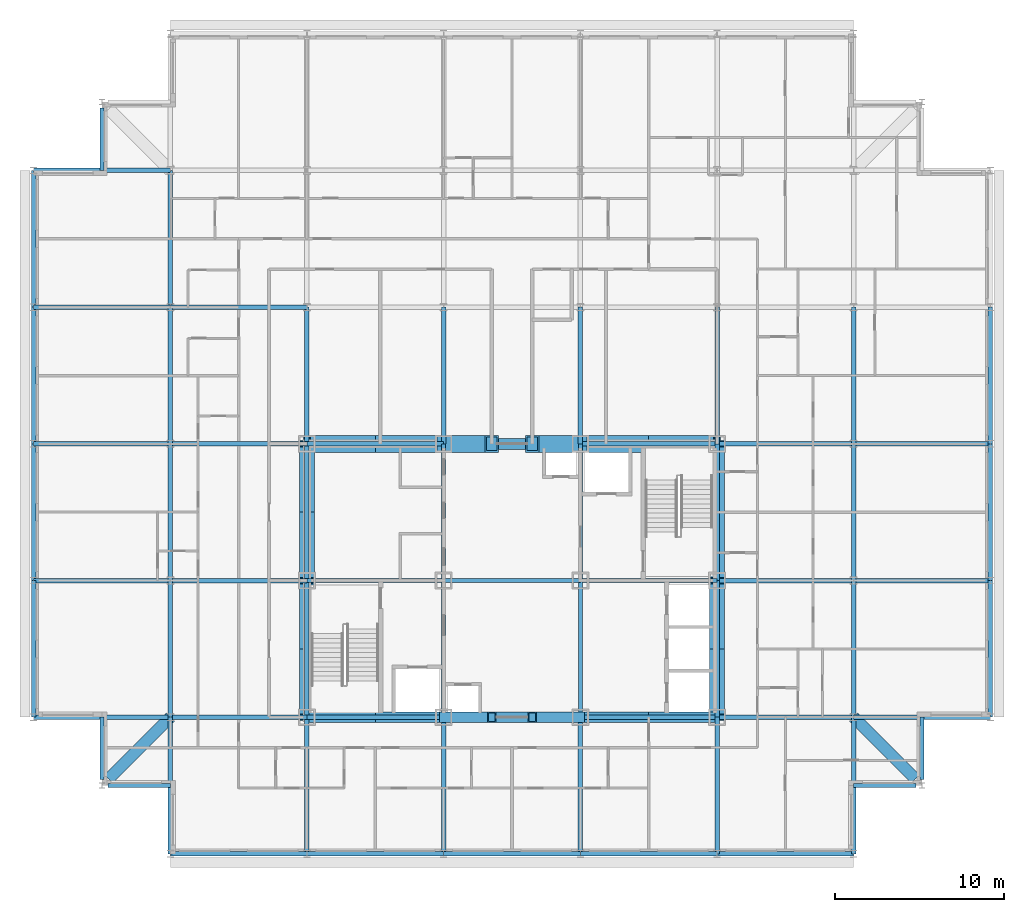
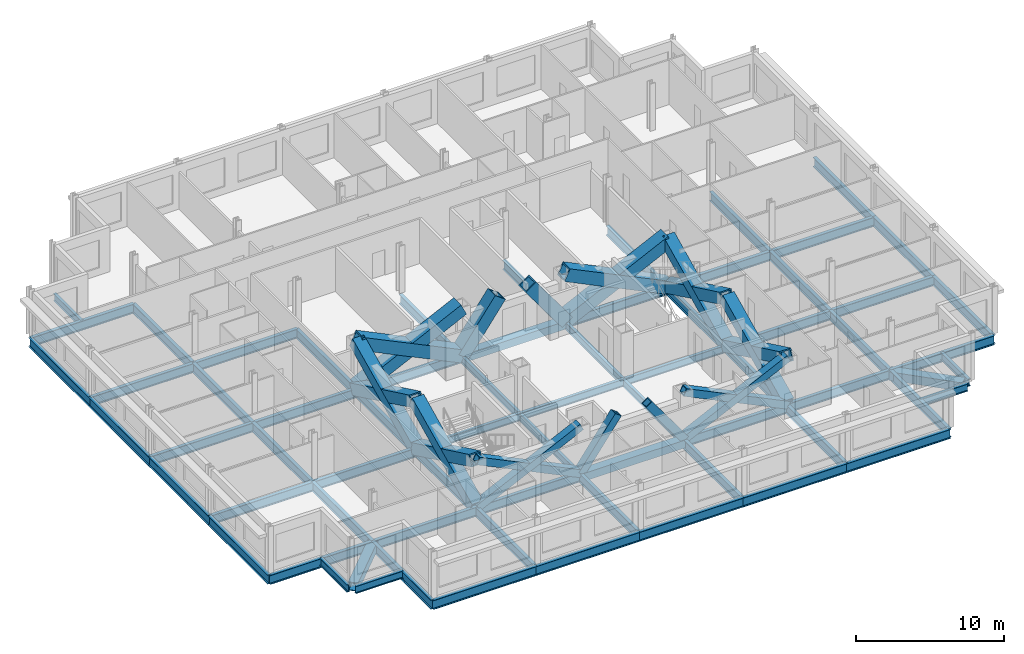
# One storey, part 5 of 15: 68 beams, 20 members.
"""IFC4 building model written with IfcOpenShell, lengths in metres."""

from ifc_helpers import new_model, si_unit, direction, frame, origin, origin_2d, place, context, subcontext, project, spatial, hollow_rectangle, i_section, extrude, material, material_profile, profile_set, type_object, element, save


model = new_model("IFC4")

# Units and contexts
model_context = context("Model", 3, precision=1e-05, world=origin(), true_north=direction((0.0, 1.0)))
body_context = subcontext(model_context, "Body", "Model", "MODEL_VIEW")
ifc_project = project(units=[si_unit("LENGTHUNIT", "METRE"), si_unit("AREAUNIT", "SQUARE_METRE"), si_unit("VOLUMEUNIT", "CUBIC_METRE"), si_unit("PLANEANGLEUNIT", "RADIAN"), si_unit("MASSUNIT", "GRAM", prefix="KILO")], contexts=[model_context])

# Site, building, storey
site_placement = place(None, origin())
site = spatial("IfcSite", under=ifc_project, at=site_placement, CompositionType="ELEMENT")
building_placement = place(site_placement, origin())
building = spatial("IfcBuilding", under=site, at=building_placement, Name="Kopane Lantern Tower", CompositionType="ELEMENT")
storey_placement = place(building_placement, frame((0.0, 0.0, 246.300048828125)))
storey = spatial("IfcBuildingStorey", under=building, at=storey_placement, Name="L63", CompositionType="ELEMENT", Elevation=246.300048828125)

# Members
ifc_material_1 = material(Name="Steel S355JR", Category="steel")
ifc_material_profile_1 = material_profile(ifc_material_1, hollow_rectangle(XDim=1.0, YDim=1.0, WallThickness=0.10009765625, at=origin_2d()), Name="BOX 1000x1000x100")
ifc_profile_set_1 = profile_set([ifc_material_profile_1], Name="Steel S355JR")
member_type_1 = type_object("IfcMemberType", Name="BRACE BOX 1000x1000x100", PredefinedType="BRACE", material=ifc_profile_set_1)
for number, where, z_axis, x_axis, name in (
    (1, (16.199951171875, 40.5, -0.2099609375), (0.901007959878, 0.0, 0.433802554437), (0.0, 1.0, 0.0), "Core brace L63"),
    (2, (24.300048828125, 40.5, -0.2099609375), (-0.901007959878, 0.0, 0.433802554437), (0.0, -1.0, 0.0), "Core brace L63"),
):
    element("IfcMember", number, at=place(storey_placement, frame(where, z_axis=z_axis, x_axis=x_axis)), inside=storey, type_object=member_type_1, Name=name, PredefinedType="BRACE", context=body_context, shape_type="SweptSolid", body=[
        extrude(hollow_rectangle(XDim=1.0, YDim=1.0, WallThickness=0.10009765625, at=origin_2d()), origin(), (0.0, 0.0, 1.0), 8.989990234375),
    ])
for number, where, z_axis, x_axis, name in (
    (3, (24.300048828125, 40.5, -0.2099609375), (0.590006451143, 0.0, 0.807398530845), (0.0, 1.0, 0.0), "Core brace L63"),
    (4, (32.39990234375, 40.5, -0.2099609375), (-0.590006451143, 0.0, 0.807398530845), (0.0, -1.0, 0.0), "Core brace L63"),
):
    element("IfcMember", number, at=place(storey_placement, frame(where, z_axis=z_axis, x_axis=x_axis)), inside=storey, type_object=member_type_1, Name=name, PredefinedType="BRACE", context=body_context, shape_type="SweptSolid", body=[
        extrude(hollow_rectangle(XDim=1.0, YDim=1.0, WallThickness=0.10009765625, at=origin_2d()), origin(), (0.0, 0.0, 1.0), 4.830322265625),
    ])
for number, where, z_axis, x_axis, name in (
    (5, (32.39990234375, 40.5, -0.2099609375), (0.901007959878, 0.0, 0.433802554437), (0.0, 1.0, 0.0), "Core brace L63"),
    (6, (40.5, 40.5, -0.2099609375), (-0.901007959878, 0.0, 0.433802554437), (0.0, -1.0, 0.0), "Core brace L63"),
):
    element("IfcMember", number, at=place(storey_placement, frame(where, z_axis=z_axis, x_axis=x_axis)), inside=storey, type_object=member_type_1, Name=name, PredefinedType="BRACE", context=body_context, shape_type="SweptSolid", body=[
        extrude(hollow_rectangle(XDim=1.0, YDim=1.0, WallThickness=0.10009765625, at=origin_2d()), origin(), (0.0, 0.0, 1.0), 8.989990234375),
    ])
ifc_material_2 = material(Name="Steel S355JR", Category="steel")
ifc_material_profile_2 = material_profile(ifc_material_2, hollow_rectangle(XDim=0.60009765625, YDim=0.60009765625, WallThickness=0.06005859375, at=origin_2d()), Name="BOX 600x600x60")
ifc_profile_set_2 = profile_set([ifc_material_profile_2], Name="Steel S355JR")
member_type_2 = type_object("IfcMemberType", Name="BRACE BOX 600x600x60", PredefinedType="BRACE", material=ifc_profile_set_2)
for number, where, z_axis, x_axis, name in (
    (7, (16.199951171875, 24.300048828125, -0.2099609375), (0.901007959878, 0.0, 0.433802554437), (0.0, 1.0, 0.0), "Core brace L63"),
    (8, (24.300048828125, 24.300048828125, -0.2099609375), (-0.901007959878, 0.0, 0.433802554437), (0.0, -1.0, 0.0), "Core brace L63"),
):
    element("IfcMember", number, at=place(storey_placement, frame(where, z_axis=z_axis, x_axis=x_axis)), inside=storey, type_object=member_type_2, Name=name, PredefinedType="BRACE", context=body_context, shape_type="SweptSolid", body=[
        extrude(hollow_rectangle(XDim=0.60009765625, YDim=0.60009765625, WallThickness=0.06005859375, at=origin_2d()), origin(), (0.0, 0.0, 1.0), 8.989990234375),
    ])
for number, where, z_axis, x_axis, name in (
    (9, (24.300048828125, 24.300048828125, -0.2099609375), (0.590006451143, 0.0, 0.807398530845), (0.0, 1.0, 0.0), "Core brace L63"),
    (10, (32.39990234375, 24.300048828125, -0.2099609375), (-0.590006451143, 0.0, 0.807398530845), (0.0, -1.0, 0.0), "Core brace L63"),
):
    element("IfcMember", number, at=place(storey_placement, frame(where, z_axis=z_axis, x_axis=x_axis)), inside=storey, type_object=member_type_2, Name=name, PredefinedType="BRACE", context=body_context, shape_type="SweptSolid", body=[
        extrude(hollow_rectangle(XDim=0.60009765625, YDim=0.60009765625, WallThickness=0.06005859375, at=origin_2d()), origin(), (0.0, 0.0, 1.0), 4.830322265625),
    ])
for number, where, z_axis, x_axis, name in (
    (11, (32.39990234375, 24.300048828125, -0.2099609375), (0.901007959878, 0.0, 0.433802554437), (0.0, 1.0, 0.0), "Core brace L63"),
    (12, (40.5, 24.300048828125, -0.2099609375), (-0.901007959878, 0.0, 0.433802554437), (0.0, -1.0, 0.0), "Core brace L63"),
):
    element("IfcMember", number, at=place(storey_placement, frame(where, z_axis=z_axis, x_axis=x_axis)), inside=storey, type_object=member_type_2, Name=name, PredefinedType="BRACE", context=body_context, shape_type="SweptSolid", body=[
        extrude(hollow_rectangle(XDim=0.60009765625, YDim=0.60009765625, WallThickness=0.06005859375, at=origin_2d()), origin(), (0.0, 0.0, 1.0), 8.989990234375),
    ])
ifc_material_3 = material(Name="Steel S355JR", Category="steel")
ifc_material_profile_3 = material_profile(ifc_material_3, hollow_rectangle(XDim=0.89990234375, YDim=0.89990234375, WallThickness=0.090087890625, at=origin_2d()), Name="BOX 900x900x90")
ifc_profile_set_3 = profile_set([ifc_material_profile_3], Name="Steel S355JR")
member_type_3 = type_object("IfcMemberType", Name="BRACE BOX 900x900x90", PredefinedType="BRACE", material=ifc_profile_set_3)
for number, where, z_axis, x_axis, name in (
    (13, (16.199951171875, 24.300048828125, -0.2099609375), (0.0, 0.9010028492, 0.433813169157), (-1.0, 0.0, 0.0), "Core brace L63"),
    (14, (16.199951171875, 32.39990234375, -0.2099609375), (0.0, -0.9010028492, 0.433813169157), (1.0, 0.0, 0.0), "Core brace L63"),
):
    element("IfcMember", number, at=place(storey_placement, frame(where, z_axis=z_axis, x_axis=x_axis)), inside=storey, type_object=member_type_3, Name=name, PredefinedType="BRACE", context=body_context, shape_type="SweptSolid", body=[
        extrude(hollow_rectangle(XDim=0.89990234375, YDim=0.89990234375, WallThickness=0.090087890625, at=origin_2d()), origin(), (0.0, 0.0, 1.0), 8.98974609375),
    ])
for number, where, z_axis, x_axis, name in (
    (15, (16.199951171875, 32.39990234375, -0.2099609375), (0.0, 0.901007959878, 0.433802554437), (-1.0, 0.0, 0.0), "Core brace L63"),
    (16, (16.199951171875, 40.5, -0.2099609375), (0.0, -0.901007959878, 0.433802554437), (1.0, 0.0, 0.0), "Core brace L63"),
):
    element("IfcMember", number, at=place(storey_placement, frame(where, z_axis=z_axis, x_axis=x_axis)), inside=storey, type_object=member_type_3, Name=name, PredefinedType="BRACE", context=body_context, shape_type="SweptSolid", body=[
        extrude(hollow_rectangle(XDim=0.89990234375, YDim=0.89990234375, WallThickness=0.090087890625, at=origin_2d()), origin(), (0.0, 0.0, 1.0), 8.989990234375),
    ])
for number, where, z_axis, x_axis, name in (
    (17, (40.5, 24.300048828125, -0.2099609375), (0.0, 0.9010028492, 0.433813169157), (-1.0, 0.0, 0.0), "Core brace L63"),
    (18, (40.5, 32.39990234375, -0.2099609375), (0.0, -0.9010028492, 0.433813169157), (1.0, 0.0, 0.0), "Core brace L63"),
):
    element("IfcMember", number, at=place(storey_placement, frame(where, z_axis=z_axis, x_axis=x_axis)), inside=storey, type_object=member_type_3, Name=name, PredefinedType="BRACE", context=body_context, shape_type="SweptSolid", body=[
        extrude(hollow_rectangle(XDim=0.89990234375, YDim=0.89990234375, WallThickness=0.090087890625, at=origin_2d()), origin(), (0.0, 0.0, 1.0), 8.98974609375),
    ])
for number, where, z_axis, x_axis, name in (
    (19, (40.5, 32.39990234375, -0.2099609375), (0.0, 0.901007959878, 0.433802554437), (-1.0, 0.0, 0.0), "Core brace L63"),
    (20, (40.5, 40.5, -0.2099609375), (0.0, -0.901007959878, 0.433802554437), (1.0, 0.0, 0.0), "Core brace L63"),
):
    element("IfcMember", number, at=place(storey_placement, frame(where, z_axis=z_axis, x_axis=x_axis)), inside=storey, type_object=member_type_3, Name=name, PredefinedType="BRACE", context=body_context, shape_type="SweptSolid", body=[
        extrude(hollow_rectangle(XDim=0.89990234375, YDim=0.89990234375, WallThickness=0.090087890625, at=origin_2d()), origin(), (0.0, 0.0, 1.0), 8.989990234375),
    ])

# Beams
ifc_material_4 = material(Name="Steel S355JR", Category="steel")
ifc_material_profile_4 = material_profile(ifc_material_4, i_section(OverallWidth=0.22900390625, OverallDepth=0.6123046875, WebThickness=0.011962890625, FlangeThickness=0.01953125, FilletRadius=0.0126953125, at=origin_2d()), Name="UB 610x229x125")
ifc_profile_set_4 = profile_set([ifc_material_profile_4], Name="Steel S355JR")
beam_type_1 = type_object("IfcBeamType", Name="CORE BEAM UB 610x229x125", PredefinedType="BEAM", material=ifc_profile_set_4)
beam_1_placement = place(storey_placement, frame((16.199951171875, 32.39990234375, -0.51611328125), z_axis=(1.0, 0.0, 0.0), x_axis=(0.0, 1.0, 0.0)))
element("IfcBeam", 21, at=beam_1_placement, inside=storey, type_object=beam_type_1, Name="Core Beam L63", PredefinedType="BEAM", context=body_context, shape_type="SweptSolid", body=[
    extrude(i_section(OverallWidth=0.22900390625, OverallDepth=0.6123046875, WebThickness=0.011962890625, FlangeThickness=0.01953125, FilletRadius=0.0126953125, at=origin_2d()), origin(), (0.0, 0.0, 1.0), 8.10009765625),
])
beam_2_placement = place(storey_placement, frame((24.300048828125, 24.300048828125, -0.51611328125), z_axis=(0.0, 1.0, 0.0), x_axis=(-1.0, 0.0, 0.0)))
element("IfcBeam", 22, at=beam_2_placement, inside=storey, type_object=beam_type_1, Name="Core Beam L63", PredefinedType="BEAM", context=body_context, shape_type="SweptSolid", body=[
    extrude(i_section(OverallWidth=0.22900390625, OverallDepth=0.6123046875, WebThickness=0.011962890625, FlangeThickness=0.01953125, FilletRadius=0.0126953125, at=origin_2d()), origin(), (0.0, 0.0, 1.0), 8.099853515625),
])
beam_3_placement = place(storey_placement, frame((24.300048828125, 32.39990234375, -0.51611328125), z_axis=(0.0, 1.0, 0.0), x_axis=(-1.0, 0.0, 0.0)))
element("IfcBeam", 23, at=beam_3_placement, inside=storey, type_object=beam_type_1, Name="Core Beam L63", PredefinedType="BEAM", context=body_context, shape_type="SweptSolid", body=[
    extrude(i_section(OverallWidth=0.22900390625, OverallDepth=0.6123046875, WebThickness=0.011962890625, FlangeThickness=0.01953125, FilletRadius=0.0126953125, at=origin_2d()), origin(), (0.0, 0.0, 1.0), 8.10009765625),
])
for number, where, z_axis, x_axis, name in (
    (24, (24.300048828125, 32.39990234375, -0.51611328125), (1.0, 0.0, 0.0), (0.0, 1.0, 0.0), "Core Beam L63"),
    (25, (32.39990234375, 24.300048828125, -0.51611328125), (0.0, 1.0, 0.0), (-1.0, 0.0, 0.0), "Core Beam L63"),
):
    element("IfcBeam", number, at=place(storey_placement, frame(where, z_axis=z_axis, x_axis=x_axis)), inside=storey, type_object=beam_type_1, Name=name, PredefinedType="BEAM", context=body_context, shape_type="SweptSolid", body=[
        extrude(i_section(OverallWidth=0.22900390625, OverallDepth=0.6123046875, WebThickness=0.011962890625, FlangeThickness=0.01953125, FilletRadius=0.0126953125, at=origin_2d()), origin(), (0.0, 0.0, 1.0), 8.099853515625),
    ])
for number, where, z_axis, x_axis, name in (
    (26, (32.39990234375, 32.39990234375, -0.51611328125), (0.0, 1.0, 0.0), (-1.0, 0.0, 0.0), "Core Beam L63"),
    (27, (32.39990234375, 32.39990234375, -0.51611328125), (1.0, 0.0, 0.0), (0.0, 1.0, 0.0), "Core Beam L63"),
):
    element("IfcBeam", number, at=place(storey_placement, frame(where, z_axis=z_axis, x_axis=x_axis)), inside=storey, type_object=beam_type_1, Name=name, PredefinedType="BEAM", context=body_context, shape_type="SweptSolid", body=[
        extrude(i_section(OverallWidth=0.22900390625, OverallDepth=0.6123046875, WebThickness=0.011962890625, FlangeThickness=0.01953125, FilletRadius=0.0126953125, at=origin_2d()), origin(), (0.0, 0.0, 1.0), 8.10009765625),
    ])
ifc_material_5 = material(Name="Steel S355JR", Category="steel")
ifc_material_profile_5 = material_profile(ifc_material_5, hollow_rectangle(XDim=0.699951171875, YDim=0.699951171875, WallThickness=0.06005859375, at=origin_2d()), Name="BOX 700x700x60")
ifc_profile_set_5 = profile_set([ifc_material_profile_5], Name="Steel S355JR")
beam_type_2 = type_object("IfcBeamType", Name="CORNER TIE BEAM BOX 700x700x60", PredefinedType="BEAM", material=ifc_profile_set_5)
beam_4_placement = place(storey_placement, frame((4.447509765625, 20.6474609375, -0.56005859375), z_axis=(0.707106781187, 0.707106781187, 0.0), x_axis=(-0.707106781187, 0.707106781187, 0.0)))
element("IfcBeam", 28, at=beam_4_placement, inside=storey, type_object=beam_type_2, Name="Corner Tie Beam L63", PredefinedType="BEAM", context=body_context, shape_type="SweptSolid", body=[
    extrude(hollow_rectangle(XDim=0.699951171875, YDim=0.699951171875, WallThickness=0.06005859375, at=origin_2d()), origin(), (0.0, 0.0, 1.0), 5.16552734375),
])
beam_5_placement = place(storey_placement, frame((52.25244140625, 20.6474609375, -0.56005859375), z_axis=(-0.707083148333, 0.70713041325, 0.0), x_axis=(-0.70713041325, -0.707083148333, 0.0)))
element("IfcBeam", 29, at=beam_5_placement, inside=storey, type_object=beam_type_2, Name="Corner Tie Beam L63", PredefinedType="BEAM", context=body_context, shape_type="SweptSolid", body=[
    extrude(hollow_rectangle(XDim=0.699951171875, YDim=0.699951171875, WallThickness=0.06005859375, at=origin_2d()), origin(), (0.0, 0.0, 1.0), 5.165283203125),
])
ifc_material_6 = material(Name="Steel S355JR", Category="steel")
ifc_material_profile_6 = material_profile(ifc_material_6, i_section(OverallWidth=0.22900390625, OverallDepth=0.6123046875, WebThickness=0.011962890625, FlangeThickness=0.01953125, FilletRadius=0.0126953125, at=origin_2d()), Name="UB 610x229x125")
ifc_profile_set_6 = profile_set([ifc_material_profile_6], Name="Steel S355JR")
beam_type_3 = type_object("IfcBeamType", Name="EDGE BEAM UB 610x229x125", PredefinedType="BEAM", material=ifc_profile_set_6)
beam_6_placement = place(storey_placement, frame((4.050048828125, 20.60009765625, -0.51611328125), z_axis=(0.0, 1.0, 0.0), x_axis=(-1.0, 0.0, 0.0)))
element("IfcBeam", 30, at=beam_6_placement, inside=storey, type_object=beam_type_3, Name="Edge Beam L63", PredefinedType="BEAM", context=body_context, shape_type="SweptSolid", body=[
    extrude(i_section(OverallWidth=0.22900390625, OverallDepth=0.6123046875, WebThickness=0.011962890625, FlangeThickness=0.01953125, FilletRadius=0.0126953125, at=origin_2d()), origin(), (0.0, 0.0, 1.0), 3.699951171875),
])
beam_7_placement = place(storey_placement, frame((4.39990234375, 20.25, -0.51611328125), z_axis=(1.0, 0.0, 0.0), x_axis=(0.0, 1.0, 0.0)))
element("IfcBeam", 31, at=beam_7_placement, inside=storey, type_object=beam_type_3, Name="Edge Beam L63", PredefinedType="BEAM", context=body_context, shape_type="SweptSolid", body=[
    extrude(i_section(OverallWidth=0.22900390625, OverallDepth=0.6123046875, WebThickness=0.011962890625, FlangeThickness=0.01953125, FilletRadius=0.0126953125, at=origin_2d()), origin(), (0.0, 0.0, 1.0), 3.7001953125),
])
for number, where, z_axis, x_axis, name in (
    (32, (4.050048828125, 60.39990234375, -0.51611328125), (0.0, -1.0, 0.0), (1.0, 0.0, 0.0), "Edge Beam L63"),
    (33, (52.300048828125, 20.25, -0.51611328125), (-1.0, 0.0, 0.0), (0.0, -1.0, 0.0), "Edge Beam L63"),
    (34, (52.64990234375, 20.60009765625, -0.51611328125), (0.0, 1.0, 0.0), (-1.0, 0.0, 0.0), "Edge Beam L63"),
):
    element("IfcBeam", number, at=place(storey_placement, frame(where, z_axis=z_axis, x_axis=x_axis)), inside=storey, type_object=beam_type_3, Name=name, PredefinedType="BEAM", context=body_context, shape_type="SweptSolid", body=[
        extrude(i_section(OverallWidth=0.22900390625, OverallDepth=0.6123046875, WebThickness=0.011962890625, FlangeThickness=0.01953125, FilletRadius=0.0126953125, at=origin_2d()), origin(), (0.0, 0.0, 1.0), 3.699951171875),
    ])
ifc_material_7 = material(Name="Steel S355JR", Category="steel")
ifc_material_profile_7 = material_profile(ifc_material_7, i_section(OverallWidth=0.2666015625, OverallDepth=0.76220703125, WebThickness=0.014404296875, FlangeThickness=0.021484375, FilletRadius=0.0166015625, at=origin_2d()), Name="UB 762x267x173")
ifc_profile_set_7 = profile_set([ifc_material_profile_7], Name="Steel S355JR")
beam_type_4 = type_object("IfcBeamType", Name="GIRDER UB 762x267x173", PredefinedType="BEAM", material=ifc_profile_set_7)
beam_8_placement = place(storey_placement, frame((0.0, 24.300048828125, -0.591064453125), z_axis=(0.0, 1.0, 0.0), x_axis=(-1.0, 0.0, 0.0)))
element("IfcBeam", 35, at=beam_8_placement, inside=storey, type_object=beam_type_4, Name="Girder L63", PredefinedType="BEAM", context=body_context, shape_type="SweptSolid", body=[
    extrude(i_section(OverallWidth=0.2666015625, OverallDepth=0.76220703125, WebThickness=0.014404296875, FlangeThickness=0.021484375, FilletRadius=0.0166015625, at=origin_2d()), origin(), (0.0, 0.0, 1.0), 8.099853515625),
])
for number, where, z_axis, x_axis, name in (
    (36, (0.0, 24.300048828125, -0.591064453125), (1.0, 0.0, 0.0), (0.0, 1.0, 0.0), "Girder L63"),
    (37, (0.0, 32.39990234375, -0.591064453125), (0.0, 1.0, 0.0), (-1.0, 0.0, 0.0), "Girder L63"),
    (38, (0.0, 32.39990234375, -0.591064453125), (1.0, 0.0, 0.0), (0.0, 1.0, 0.0), "Girder L63"),
    (39, (0.0, 40.5, -0.591064453125), (0.0, 1.0, 0.0), (-1.0, 0.0, 0.0), "Girder L63"),
    (40, (0.0, 40.5, -0.591064453125), (1.0, 0.0, 0.0), (0.0, 1.0, 0.0), "Girder L63"),
):
    element("IfcBeam", number, at=place(storey_placement, frame(where, z_axis=z_axis, x_axis=x_axis)), inside=storey, type_object=beam_type_4, Name=name, PredefinedType="BEAM", context=body_context, shape_type="SweptSolid", body=[
        extrude(i_section(OverallWidth=0.2666015625, OverallDepth=0.76220703125, WebThickness=0.014404296875, FlangeThickness=0.021484375, FilletRadius=0.0166015625, at=origin_2d()), origin(), (0.0, 0.0, 1.0), 8.10009765625),
    ])
beam_9_placement = place(storey_placement, frame((0.0, 48.60009765625, -0.591064453125), z_axis=(0.0, 1.0, 0.0), x_axis=(-1.0, 0.0, 0.0)))
element("IfcBeam", 41, at=beam_9_placement, inside=storey, type_object=beam_type_4, Name="Girder L63", PredefinedType="BEAM", context=body_context, shape_type="SweptSolid", body=[
    extrude(i_section(OverallWidth=0.2666015625, OverallDepth=0.76220703125, WebThickness=0.014404296875, FlangeThickness=0.021484375, FilletRadius=0.0166015625, at=origin_2d()), origin(), (0.0, 0.0, 1.0), 8.099853515625),
])
for number, where, z_axis, x_axis, name in (
    (42, (0.0, 48.60009765625, -0.591064453125), (1.0, 0.0, 0.0), (0.0, 1.0, 0.0), "Girder L63"),
    (43, (0.0, 56.699951171875, -0.591064453125), (1.0, 0.0, 0.0), (0.0, 1.0, 0.0), "Girder L63"),
    (44, (8.10009765625, 16.199951171875, -0.591064453125), (0.0, 1.0, 0.0), (-1.0, 0.0, 0.0), "Girder L63"),
):
    element("IfcBeam", number, at=place(storey_placement, frame(where, z_axis=z_axis, x_axis=x_axis)), inside=storey, type_object=beam_type_4, Name=name, PredefinedType="BEAM", context=body_context, shape_type="SweptSolid", body=[
        extrude(i_section(OverallWidth=0.2666015625, OverallDepth=0.76220703125, WebThickness=0.014404296875, FlangeThickness=0.021484375, FilletRadius=0.0166015625, at=origin_2d()), origin(), (0.0, 0.0, 1.0), 8.10009765625),
    ])
for number, where, z_axis, x_axis, name in (
    (45, (8.10009765625, 16.199951171875, -0.591064453125), (1.0, 0.0, 0.0), (0.0, 1.0, 0.0), "Girder L63"),
    (46, (8.10009765625, 24.300048828125, -0.591064453125), (0.0, 1.0, 0.0), (-1.0, 0.0, 0.0), "Girder L63"),
    (47, (8.10009765625, 24.300048828125, -0.591064453125), (1.0, 0.0, 0.0), (0.0, 1.0, 0.0), "Girder L63"),
):
    element("IfcBeam", number, at=place(storey_placement, frame(where, z_axis=z_axis, x_axis=x_axis)), inside=storey, type_object=beam_type_4, Name=name, PredefinedType="BEAM", context=body_context, shape_type="SweptSolid", body=[
        extrude(i_section(OverallWidth=0.2666015625, OverallDepth=0.76220703125, WebThickness=0.014404296875, FlangeThickness=0.021484375, FilletRadius=0.0166015625, at=origin_2d()), origin(), (0.0, 0.0, 1.0), 8.099853515625),
    ])
beam_10_placement = place(storey_placement, frame((8.10009765625, 32.39990234375, -0.591064453125), z_axis=(0.0, 1.0, 0.0), x_axis=(-1.0, 0.0, 0.0)))
element("IfcBeam", 48, at=beam_10_placement, inside=storey, type_object=beam_type_4, Name="Girder L63", PredefinedType="BEAM", context=body_context, shape_type="SweptSolid", body=[
    extrude(i_section(OverallWidth=0.2666015625, OverallDepth=0.76220703125, WebThickness=0.014404296875, FlangeThickness=0.021484375, FilletRadius=0.0166015625, at=origin_2d()), origin(), (0.0, 0.0, 1.0), 8.10009765625),
])
beam_11_placement = place(storey_placement, frame((8.10009765625, 32.39990234375, -0.591064453125), z_axis=(1.0, 0.0, 0.0), x_axis=(0.0, 1.0, 0.0)))
element("IfcBeam", 49, at=beam_11_placement, inside=storey, type_object=beam_type_4, Name="Girder L63", PredefinedType="BEAM", context=body_context, shape_type="SweptSolid", body=[
    extrude(i_section(OverallWidth=0.2666015625, OverallDepth=0.76220703125, WebThickness=0.014404296875, FlangeThickness=0.021484375, FilletRadius=0.0166015625, at=origin_2d()), origin(), (0.0, 0.0, 1.0), 8.099853515625),
])
beam_12_placement = place(storey_placement, frame((8.10009765625, 40.5, -0.591064453125), z_axis=(0.0, 1.0, 0.0), x_axis=(-1.0, 0.0, 0.0)))
element("IfcBeam", 50, at=beam_12_placement, inside=storey, type_object=beam_type_4, Name="Girder L63", PredefinedType="BEAM", context=body_context, shape_type="SweptSolid", body=[
    extrude(i_section(OverallWidth=0.2666015625, OverallDepth=0.76220703125, WebThickness=0.014404296875, FlangeThickness=0.021484375, FilletRadius=0.0166015625, at=origin_2d()), origin(), (0.0, 0.0, 1.0), 8.10009765625),
])
for number, where, z_axis, x_axis, name in (
    (51, (8.10009765625, 40.5, -0.591064453125), (1.0, 0.0, 0.0), (0.0, 1.0, 0.0), "Girder L63"),
    (52, (8.10009765625, 48.60009765625, -0.591064453125), (0.0, 1.0, 0.0), (-1.0, 0.0, 0.0), "Girder L63"),
    (53, (8.10009765625, 48.60009765625, -0.591064453125), (1.0, 0.0, 0.0), (0.0, 1.0, 0.0), "Girder L63"),
):
    element("IfcBeam", number, at=place(storey_placement, frame(where, z_axis=z_axis, x_axis=x_axis)), inside=storey, type_object=beam_type_4, Name=name, PredefinedType="BEAM", context=body_context, shape_type="SweptSolid", body=[
        extrude(i_section(OverallWidth=0.2666015625, OverallDepth=0.76220703125, WebThickness=0.014404296875, FlangeThickness=0.021484375, FilletRadius=0.0166015625, at=origin_2d()), origin(), (0.0, 0.0, 1.0), 8.099853515625),
    ])
for number, where, z_axis, x_axis, name in (
    (54, (16.199951171875, 16.199951171875, -0.591064453125), (0.0, 1.0, 0.0), (-1.0, 0.0, 0.0), "Girder L63"),
    (55, (16.199951171875, 16.199951171875, -0.591064453125), (1.0, 0.0, 0.0), (0.0, 1.0, 0.0), "Girder L63"),
):
    element("IfcBeam", number, at=place(storey_placement, frame(where, z_axis=z_axis, x_axis=x_axis)), inside=storey, type_object=beam_type_4, Name=name, PredefinedType="BEAM", context=body_context, shape_type="SweptSolid", body=[
        extrude(i_section(OverallWidth=0.2666015625, OverallDepth=0.76220703125, WebThickness=0.014404296875, FlangeThickness=0.021484375, FilletRadius=0.0166015625, at=origin_2d()), origin(), (0.0, 0.0, 1.0), 8.10009765625),
    ])
beam_13_placement = place(storey_placement, frame((16.199951171875, 24.300048828125, -0.591064453125), z_axis=(0.0, 1.0, 0.0), x_axis=(-1.0, 0.0, 0.0)))
element("IfcBeam", 56, at=beam_13_placement, inside=storey, type_object=beam_type_4, Name="Girder L63", PredefinedType="BEAM", context=body_context, shape_type="SweptSolid", body=[
    extrude(i_section(OverallWidth=0.2666015625, OverallDepth=0.76220703125, WebThickness=0.014404296875, FlangeThickness=0.021484375, FilletRadius=0.0166015625, at=origin_2d()), origin(), (0.0, 0.0, 1.0), 8.099853515625),
])
for number, where, z_axis, x_axis, name in (
    (57, (16.199951171875, 24.300048828125, -0.591064453125), (1.0, 0.0, 0.0), (0.0, 1.0, 0.0), "Girder L63"),
    (58, (16.199951171875, 32.39990234375, -0.591064453125), (0.0, 1.0, 0.0), (-1.0, 0.0, 0.0), "Girder L63"),
    (59, (16.199951171875, 40.5, -0.591064453125), (0.0, 1.0, 0.0), (-1.0, 0.0, 0.0), "Girder L63"),
    (60, (16.199951171875, 40.5, -0.591064453125), (1.0, 0.0, 0.0), (0.0, 1.0, 0.0), "Girder L63"),
    (61, (24.300048828125, 16.199951171875, -0.591064453125), (0.0, 1.0, 0.0), (-1.0, 0.0, 0.0), "Girder L63"),
):
    element("IfcBeam", number, at=place(storey_placement, frame(where, z_axis=z_axis, x_axis=x_axis)), inside=storey, type_object=beam_type_4, Name=name, PredefinedType="BEAM", context=body_context, shape_type="SweptSolid", body=[
        extrude(i_section(OverallWidth=0.2666015625, OverallDepth=0.76220703125, WebThickness=0.014404296875, FlangeThickness=0.021484375, FilletRadius=0.0166015625, at=origin_2d()), origin(), (0.0, 0.0, 1.0), 8.10009765625),
    ])
beam_14_placement = place(storey_placement, frame((24.300048828125, 16.199951171875, -0.591064453125), z_axis=(1.0, 0.0, 0.0), x_axis=(0.0, 1.0, 0.0)))
element("IfcBeam", 62, at=beam_14_placement, inside=storey, type_object=beam_type_4, Name="Girder L63", PredefinedType="BEAM", context=body_context, shape_type="SweptSolid", body=[
    extrude(i_section(OverallWidth=0.2666015625, OverallDepth=0.76220703125, WebThickness=0.014404296875, FlangeThickness=0.021484375, FilletRadius=0.0166015625, at=origin_2d()), origin(), (0.0, 0.0, 1.0), 8.099853515625),
])
for number, where, z_axis, x_axis, name in (
    (63, (24.300048828125, 40.5, -0.591064453125), (0.0, 1.0, 0.0), (-1.0, 0.0, 0.0), "Girder L63"),
    (64, (32.39990234375, 16.199951171875, -0.591064453125), (0.0, 1.0, 0.0), (-1.0, 0.0, 0.0), "Girder L63"),
    (65, (32.39990234375, 16.199951171875, -0.591064453125), (1.0, 0.0, 0.0), (0.0, 1.0, 0.0), "Girder L63"),
    (66, (32.39990234375, 24.300048828125, -0.591064453125), (1.0, 0.0, 0.0), (0.0, 1.0, 0.0), "Girder L63"),
    (67, (32.39990234375, 40.5, -0.591064453125), (0.0, 1.0, 0.0), (-1.0, 0.0, 0.0), "Girder L63"),
    (68, (32.39990234375, 40.5, -0.591064453125), (1.0, 0.0, 0.0), (0.0, 1.0, 0.0), "Girder L63"),
    (69, (40.5, 16.199951171875, -0.591064453125), (0.0, 1.0, 0.0), (-1.0, 0.0, 0.0), "Girder L63"),
    (70, (40.5, 16.199951171875, -0.591064453125), (1.0, 0.0, 0.0), (0.0, 1.0, 0.0), "Girder L63"),
):
    element("IfcBeam", number, at=place(storey_placement, frame(where, z_axis=z_axis, x_axis=x_axis)), inside=storey, type_object=beam_type_4, Name=name, PredefinedType="BEAM", context=body_context, shape_type="SweptSolid", body=[
        extrude(i_section(OverallWidth=0.2666015625, OverallDepth=0.76220703125, WebThickness=0.014404296875, FlangeThickness=0.021484375, FilletRadius=0.0166015625, at=origin_2d()), origin(), (0.0, 0.0, 1.0), 8.10009765625),
    ])
beam_15_placement = place(storey_placement, frame((40.5, 24.300048828125, -0.591064453125), z_axis=(0.0, 1.0, 0.0), x_axis=(-1.0, 0.0, 0.0)))
element("IfcBeam", 71, at=beam_15_placement, inside=storey, type_object=beam_type_4, Name="Girder L63", PredefinedType="BEAM", context=body_context, shape_type="SweptSolid", body=[
    extrude(i_section(OverallWidth=0.2666015625, OverallDepth=0.76220703125, WebThickness=0.014404296875, FlangeThickness=0.021484375, FilletRadius=0.0166015625, at=origin_2d()), origin(), (0.0, 0.0, 1.0), 8.099853515625),
])
for number, where, z_axis, x_axis, name in (
    (72, (40.5, 24.300048828125, -0.591064453125), (1.0, 0.0, 0.0), (0.0, 1.0, 0.0), "Girder L63"),
    (73, (40.5, 32.39990234375, -0.591064453125), (0.0, 1.0, 0.0), (-1.0, 0.0, 0.0), "Girder L63"),
    (74, (40.5, 32.39990234375, -0.591064453125), (1.0, 0.0, 0.0), (0.0, 1.0, 0.0), "Girder L63"),
    (75, (40.5, 40.5, -0.591064453125), (0.0, 1.0, 0.0), (-1.0, 0.0, 0.0), "Girder L63"),
    (76, (40.5, 40.5, -0.591064453125), (1.0, 0.0, 0.0), (0.0, 1.0, 0.0), "Girder L63"),
    (77, (48.60009765625, 16.199951171875, -0.591064453125), (0.0, 1.0, 0.0), (-1.0, 0.0, 0.0), "Girder L63"),
):
    element("IfcBeam", number, at=place(storey_placement, frame(where, z_axis=z_axis, x_axis=x_axis)), inside=storey, type_object=beam_type_4, Name=name, PredefinedType="BEAM", context=body_context, shape_type="SweptSolid", body=[
        extrude(i_section(OverallWidth=0.2666015625, OverallDepth=0.76220703125, WebThickness=0.014404296875, FlangeThickness=0.021484375, FilletRadius=0.0166015625, at=origin_2d()), origin(), (0.0, 0.0, 1.0), 8.10009765625),
    ])
for number, where, z_axis, x_axis, name in (
    (78, (48.60009765625, 24.300048828125, -0.591064453125), (0.0, 1.0, 0.0), (-1.0, 0.0, 0.0), "Girder L63"),
    (79, (48.60009765625, 24.300048828125, -0.591064453125), (1.0, 0.0, 0.0), (0.0, 1.0, 0.0), "Girder L63"),
):
    element("IfcBeam", number, at=place(storey_placement, frame(where, z_axis=z_axis, x_axis=x_axis)), inside=storey, type_object=beam_type_4, Name=name, PredefinedType="BEAM", context=body_context, shape_type="SweptSolid", body=[
        extrude(i_section(OverallWidth=0.2666015625, OverallDepth=0.76220703125, WebThickness=0.014404296875, FlangeThickness=0.021484375, FilletRadius=0.0166015625, at=origin_2d()), origin(), (0.0, 0.0, 1.0), 8.099853515625),
    ])
beam_16_placement = place(storey_placement, frame((48.60009765625, 32.39990234375, -0.591064453125), z_axis=(0.0, 1.0, 0.0), x_axis=(-1.0, 0.0, 0.0)))
element("IfcBeam", 80, at=beam_16_placement, inside=storey, type_object=beam_type_4, Name="Girder L63", PredefinedType="BEAM", context=body_context, shape_type="SweptSolid", body=[
    extrude(i_section(OverallWidth=0.2666015625, OverallDepth=0.76220703125, WebThickness=0.014404296875, FlangeThickness=0.021484375, FilletRadius=0.0166015625, at=origin_2d()), origin(), (0.0, 0.0, 1.0), 8.10009765625),
])
beam_17_placement = place(storey_placement, frame((48.60009765625, 32.39990234375, -0.591064453125), z_axis=(1.0, 0.0, 0.0), x_axis=(0.0, 1.0, 0.0)))
element("IfcBeam", 81, at=beam_17_placement, inside=storey, type_object=beam_type_4, Name="Girder L63", PredefinedType="BEAM", context=body_context, shape_type="SweptSolid", body=[
    extrude(i_section(OverallWidth=0.2666015625, OverallDepth=0.76220703125, WebThickness=0.014404296875, FlangeThickness=0.021484375, FilletRadius=0.0166015625, at=origin_2d()), origin(), (0.0, 0.0, 1.0), 8.099853515625),
])
beam_18_placement = place(storey_placement, frame((48.60009765625, 40.5, -0.591064453125), z_axis=(0.0, 1.0, 0.0), x_axis=(-1.0, 0.0, 0.0)))
element("IfcBeam", 82, at=beam_18_placement, inside=storey, type_object=beam_type_4, Name="Girder L63", PredefinedType="BEAM", context=body_context, shape_type="SweptSolid", body=[
    extrude(i_section(OverallWidth=0.2666015625, OverallDepth=0.76220703125, WebThickness=0.014404296875, FlangeThickness=0.021484375, FilletRadius=0.0166015625, at=origin_2d()), origin(), (0.0, 0.0, 1.0), 8.10009765625),
])
for number, where, z_axis, x_axis, name in (
    (83, (48.60009765625, 40.5, -0.591064453125), (1.0, 0.0, 0.0), (0.0, 1.0, 0.0), "Girder L63"),
    (84, (56.699951171875, 24.300048828125, -0.591064453125), (0.0, 1.0, 0.0), (-1.0, 0.0, 0.0), "Girder L63"),
):
    element("IfcBeam", number, at=place(storey_placement, frame(where, z_axis=z_axis, x_axis=x_axis)), inside=storey, type_object=beam_type_4, Name=name, PredefinedType="BEAM", context=body_context, shape_type="SweptSolid", body=[
        extrude(i_section(OverallWidth=0.2666015625, OverallDepth=0.76220703125, WebThickness=0.014404296875, FlangeThickness=0.021484375, FilletRadius=0.0166015625, at=origin_2d()), origin(), (0.0, 0.0, 1.0), 8.099853515625),
    ])
for number, where, z_axis, x_axis, name in (
    (85, (56.699951171875, 32.39990234375, -0.591064453125), (0.0, 1.0, 0.0), (-1.0, 0.0, 0.0), "Girder L63"),
    (86, (56.699951171875, 40.5, -0.591064453125), (0.0, 1.0, 0.0), (-1.0, 0.0, 0.0), "Girder L63"),
):
    element("IfcBeam", number, at=place(storey_placement, frame(where, z_axis=z_axis, x_axis=x_axis)), inside=storey, type_object=beam_type_4, Name=name, PredefinedType="BEAM", context=body_context, shape_type="SweptSolid", body=[
        extrude(i_section(OverallWidth=0.2666015625, OverallDepth=0.76220703125, WebThickness=0.014404296875, FlangeThickness=0.021484375, FilletRadius=0.0166015625, at=origin_2d()), origin(), (0.0, 0.0, 1.0), 8.10009765625),
    ])
ifc_material_8 = material(Name="Steel S355JR", Category="steel")
ifc_material_profile_8 = material_profile(ifc_material_8, hollow_rectangle(XDim=0.64990234375, YDim=0.64990234375, WallThickness=0.070068359375, at=origin_2d()), Name="BOX 650x650x70")
ifc_profile_set_8 = profile_set([ifc_material_profile_8], Name="Steel S355JR")
beam_type_5 = type_object("IfcBeamType", Name="LINK BEAM BOX 650x650x70", PredefinedType="BEAM", material=ifc_profile_set_8)
for number, where, z_axis, x_axis, name in (
    (87, (24.300048828125, 24.300048828125, -0.53515625), (1.0, 0.0, 0.0), (0.0, 1.0, 0.0), "Link Beam L63"),
    (88, (24.300048828125, 40.5, -0.53515625), (1.0, 0.0, 0.0), (0.0, 1.0, 0.0), "Link Beam L63"),
):
    element("IfcBeam", number, at=place(storey_placement, frame(where, z_axis=z_axis, x_axis=x_axis)), inside=storey, type_object=beam_type_5, Name=name, PredefinedType="BEAM", context=body_context, shape_type="SweptSolid", body=[
        extrude(hollow_rectangle(XDim=0.64990234375, YDim=0.64990234375, WallThickness=0.070068359375, at=origin_2d()), origin(), (0.0, 0.0, 1.0), 8.099853515625),
    ])

save(model, "model.ifc")
